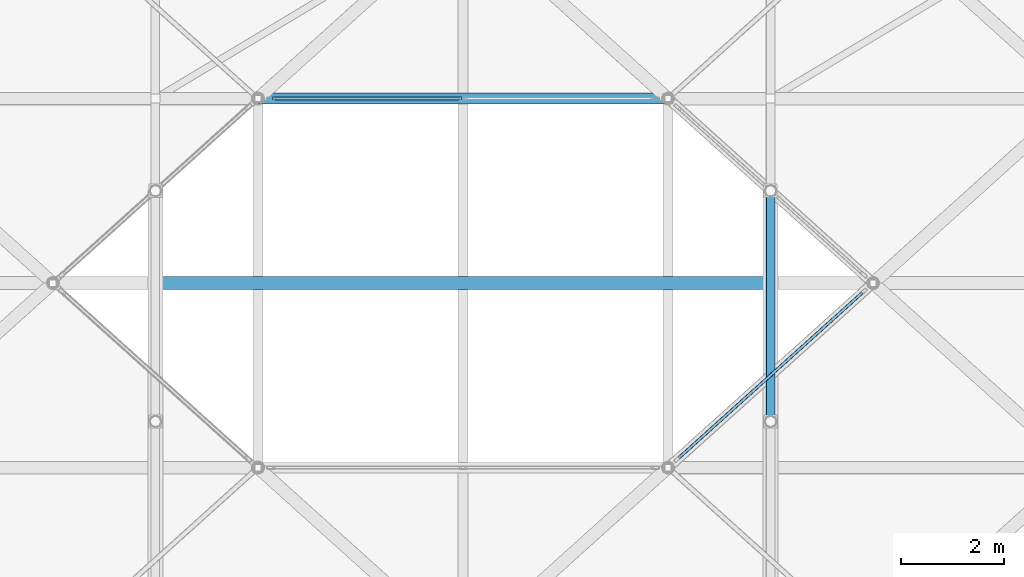
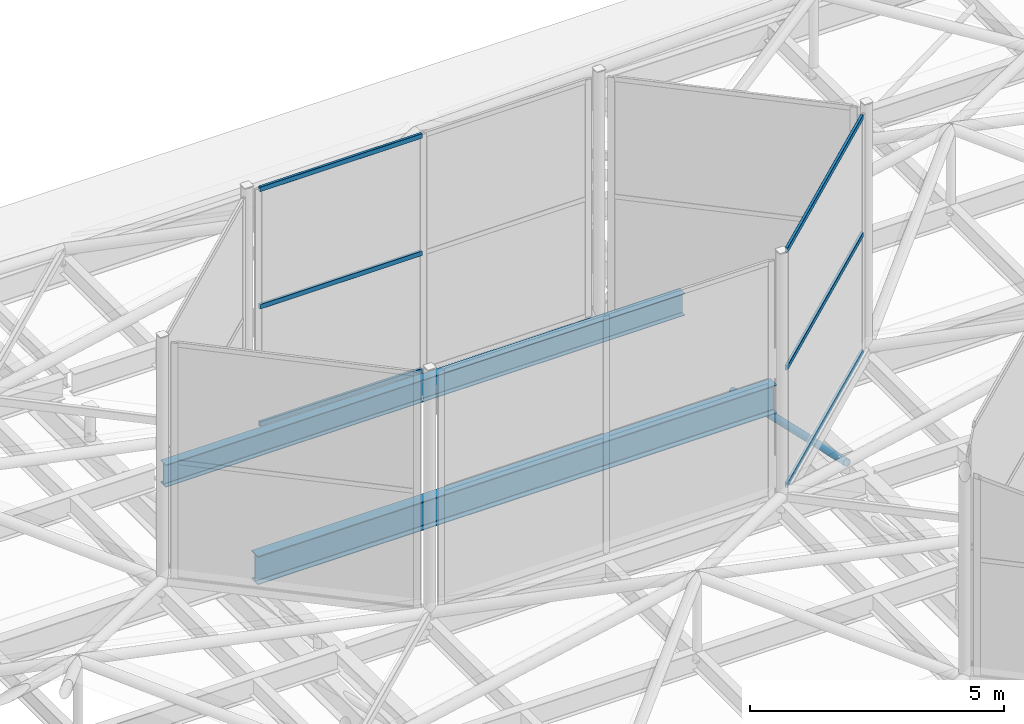
# One storey, part 124 of 239: 7 members, 2 beams, 2 elements without a shape of their own.
"""IFC4 building model written with IfcOpenShell, lengths in metres."""

from ifc_helpers import new_model, si_unit, direction, frame, origin, origin_2d, place, context, subcontext, project, spatial, hollow_rectangle, hollow_circle, i_section, extrude, material, layer, layer_set, material_profile, profile_set, type_object, element, aggregate, save


model = new_model("IFC4")

# Units and contexts
model_context = context("Model", 3, precision=1e-05, world=origin(), true_north=direction((0.0, 1.0)))
body_context = subcontext(model_context, "Body", "Model", "MODEL_VIEW")
ifc_project = project(units=[si_unit("LENGTHUNIT", "METRE"), si_unit("AREAUNIT", "SQUARE_METRE"), si_unit("VOLUMEUNIT", "CUBIC_METRE"), si_unit("PLANEANGLEUNIT", "RADIAN"), si_unit("MASSUNIT", "GRAM", prefix="KILO")], contexts=[model_context])

# Site, building, storey
site_placement = place(None, origin())
site = spatial("IfcSite", under=ifc_project, at=site_placement, CompositionType="ELEMENT")
building_placement = place(site_placement, origin())
building = spatial("IfcBuilding", under=site, at=building_placement, Name="Dunvalen Ferry Terminal", CompositionType="ELEMENT")
storey_placement = place(building_placement, frame((0.0, 0.0, 9.840087890625)))
storey = spatial("IfcBuildingStorey", under=building, at=storey_placement, Name="L02", CompositionType="ELEMENT", Elevation=9.840087890625)

# Curtain wall, members
ifc_material_1 = material(Name="Anodised marine aluminium and solar-control glazing", Category="aluminium")
ifc_layer = layer(ifc_material_1, 0.179931640625, Name="Anodised marine aluminium and solar-control glazing")
ifc_layer_set = layer_set([ifc_layer], Name="Anodised marine aluminium and solar-control glazing")
curtain_wall_type = type_object("IfcCurtainWallType", Name="ENV-CW-SYS-05", PredefinedType="NOTDEFINED", material=ifc_layer_set)
curtain_wall_1_placement = place(storey_placement, origin())
curtain_wall_1 = element("IfcCurtainWall", 1, at=curtain_wall_1_placement, inside=storey, type_object=curtain_wall_type, Name="L02 Curtain Wall CW-HEX-32-SK-3", PredefinedType="NOTDEFINED")
ifc_material_2 = material(Name="Anodised marine aluminium EN AW-6063 T6", Category="aluminium")
ifc_material_profile_1 = material_profile(ifc_material_2, hollow_rectangle(XDim=0.06005859375, YDim=0.114990234375, WallThickness=0.0029296875, InnerFilletRadius=0.0029296875, OuterFilletRadius=0.006103515625, at=origin_2d()), Name="Anodised marine aluminium EN AW-6063 T6")
ifc_profile_set_1 = profile_set([ifc_material_profile_1], Name="Anodised marine aluminium EN AW-6063 T6")
member_type_1 = type_object("IfcMemberType", Name="ENV-CW-TRN-3", PredefinedType="USERDEFINED", material=ifc_profile_set_1)
member_1_placement = place(storey_placement, frame((70.2080078125, 72.187255859375, 1.169921875), z_axis=(0.743319323261, 0.668936756104, 0.0), x_axis=(-0.668936756104, 0.743319323261, 0.0)))
member_1 = element("IfcMember", 2, at=member_1_placement, type_object=member_type_1, Name="CW-05 transom 1.1", ObjectType="TRANSOM", PredefinedType="USERDEFINED", context=body_context, shape_type="SweptSolid", body=[
    extrude(hollow_rectangle(XDim=0.06005859375, YDim=0.114990234375, WallThickness=0.0029296875, InnerFilletRadius=0.0029296875, OuterFilletRadius=0.006103515625, at=origin_2d()), origin(), (0.0, 0.0, 1.0), 4.821533203125),
])
member_2_placement = place(storey_placement, frame((70.2080078125, 72.187255859375, 3.989990234375), z_axis=(0.743319323261, 0.668936756104, 0.0), x_axis=(-0.668936756104, 0.743319323261, 0.0)))
member_2 = element("IfcMember", 3, at=member_2_placement, type_object=member_type_1, Name="CW-05 transom 1.2", ObjectType="TRANSOM", PredefinedType="USERDEFINED", context=body_context, shape_type="SweptSolid", body=[
    extrude(hollow_rectangle(XDim=0.06005859375, YDim=0.114990234375, WallThickness=0.0029296875, InnerFilletRadius=0.0029296875, OuterFilletRadius=0.006103515625, at=origin_2d()), origin(), (0.0, 0.0, 1.0), 4.821533203125),
])
member_3_placement = place(storey_placement, frame((70.2080078125, 72.187255859375, 6.809814453125), z_axis=(0.743319323261, 0.668936756104, 0.0), x_axis=(-0.668936756104, 0.743319323261, 0.0)))
member_3 = element("IfcMember", 4, at=member_3_placement, type_object=member_type_1, Name="CW-05 transom 1.3", ObjectType="TRANSOM", PredefinedType="USERDEFINED", context=body_context, shape_type="SweptSolid", body=[
    extrude(hollow_rectangle(XDim=0.06005859375, YDim=0.114990234375, WallThickness=0.0029296875, InnerFilletRadius=0.0029296875, OuterFilletRadius=0.006103515625, at=origin_2d()), origin(), (0.0, 0.0, 1.0), 4.821533203125),
])
aggregate(curtain_wall_1, [member_1, member_2, member_3])

curtain_wall_2_placement = place(storey_placement, origin())
curtain_wall_2 = element("IfcCurtainWall", 5, at=curtain_wall_2_placement, inside=storey, type_object=curtain_wall_type, Name="L02 Curtain Wall CW-HEX-32-SK-5", PredefinedType="NOTDEFINED")
member_4_placement = place(storey_placement, frame((65.969970703125, 79.199951171875, 1.169921875), z_axis=(-1.0, 0.0, 0.0), x_axis=(0.0, -1.0, 0.0)))
member_4 = element("IfcMember", 6, at=member_4_placement, type_object=member_type_1, Name="CW-05 transom 2.1", ObjectType="TRANSOM", PredefinedType="USERDEFINED", context=body_context, shape_type="SweptSolid", body=[
    extrude(hollow_rectangle(XDim=0.06005859375, YDim=0.114990234375, WallThickness=0.0029296875, InnerFilletRadius=0.0029296875, OuterFilletRadius=0.006103515625, at=origin_2d()), origin(), (0.0, 0.0, 1.0), 3.68994140625),
])
member_5_placement = place(storey_placement, frame((65.969970703125, 79.199951171875, 3.989990234375), z_axis=(-1.0, 0.0, 0.0), x_axis=(0.0, -1.0, 0.0)))
member_5 = element("IfcMember", 7, at=member_5_placement, type_object=member_type_1, Name="CW-05 transom 2.2", ObjectType="TRANSOM", PredefinedType="USERDEFINED", context=body_context, shape_type="SweptSolid", body=[
    extrude(hollow_rectangle(XDim=0.06005859375, YDim=0.114990234375, WallThickness=0.0029296875, InnerFilletRadius=0.0029296875, OuterFilletRadius=0.006103515625, at=origin_2d()), origin(), (0.0, 0.0, 1.0), 3.68994140625),
])
member_6_placement = place(storey_placement, frame((65.969970703125, 79.199951171875, 6.809814453125), z_axis=(-1.0, 0.0, 0.0), x_axis=(0.0, -1.0, 0.0)))
member_6 = element("IfcMember", 8, at=member_6_placement, type_object=member_type_1, Name="CW-05 transom 2.3", ObjectType="TRANSOM", PredefinedType="USERDEFINED", context=body_context, shape_type="SweptSolid", body=[
    extrude(hollow_rectangle(XDim=0.06005859375, YDim=0.114990234375, WallThickness=0.0029296875, InnerFilletRadius=0.0029296875, OuterFilletRadius=0.006103515625, at=origin_2d()), origin(), (0.0, 0.0, 1.0), 3.68994140625),
])
aggregate(curtain_wall_2, [member_4, member_5, member_6])

# Beams
ifc_material_3 = material(Name="Steel S355", Category="steel")
ifc_material_profile_2 = material_profile(ifc_material_3, i_section(OverallWidth=0.209228515625, OverallDepth=0.533203125, WebThickness=0.010009765625, FlangeThickness=0.015625, FilletRadius=0.0126953125, at=origin_2d()), Name="Steel S355")
ifc_profile_set_2 = profile_set([ifc_material_profile_2], Name="Steel S355")
beam_type_1 = type_object("IfcBeamType", Name="STR-BM-UKB533", PredefinedType="BEAM", material=ifc_profile_set_2)
beam_1_placement = place(storey_placement, frame((60.10009765625, 79.199951171875, 0.7333984375), z_axis=(1.0, 0.0, 0.0), x_axis=(0.0, 1.0, 0.0)))
element("IfcBeam", 9, at=beam_1_placement, inside=storey, type_object=beam_type_1, Name="Departure Hall Spine Girder B5.09", PredefinedType="BEAM", context=body_context, shape_type="SweptSolid", body=[
    extrude(i_section(OverallWidth=0.209228515625, OverallDepth=0.533203125, WebThickness=0.010009765625, FlangeThickness=0.015625, FilletRadius=0.0126953125, at=origin_2d()), origin(), (0.0, 0.0, 1.0), 11.7998046875),
])
ifc_material_profile_3 = material_profile(ifc_material_3, i_section(OverallWidth=0.253662109375, OverallDepth=0.68359375, WebThickness=0.012451171875, FlangeThickness=0.01904296875, FilletRadius=0.01513671875, at=origin_2d()), Name="Steel S355")
ifc_profile_set_3 = profile_set([ifc_material_profile_3], Name="Steel S355")
beam_type_2 = type_object("IfcBeamType", Name="STR-BM-UKB686", PredefinedType="BEAM", material=ifc_profile_set_3)
beam_2_placement = place(storey_placement, frame((60.10009765625, 75.60009765625, 0.658203125), z_axis=(1.0, 0.0, 0.0), x_axis=(0.0, 1.0, 0.0)))
element("IfcBeam", 10, at=beam_2_placement, inside=storey, type_object=beam_type_2, Name="Departure Hall Spine Girder B5.08", PredefinedType="BEAM", context=body_context, shape_type="SweptSolid", body=[
    extrude(i_section(OverallWidth=0.253662109375, OverallDepth=0.68359375, WebThickness=0.012451171875, FlangeThickness=0.01904296875, FilletRadius=0.01513671875, at=origin_2d()), origin(), (0.0, 0.0, 1.0), 11.7998046875),
])

# Member
ifc_material_profile_4 = material_profile(ifc_material_3, hollow_circle(Radius=0.084228515625, WallThickness=0.008056640625, at=origin_2d()), Name="Steel S355")
ifc_profile_set_4 = profile_set([ifc_material_profile_4], Name="Steel S355")
member_type_2 = type_object("IfcMemberType", Name="STR-MB-CHS168", PredefinedType="BRACE", material=ifc_profile_set_4)
member_7_placement = place(storey_placement, frame((72.0, 72.89990234375, 0.65869140625), z_axis=(0.0, 0.975316524259, -0.220811407104), x_axis=(-1.0, 0.0, 0.0)))
element("IfcMember", 11, at=member_7_placement, inside=storey, type_object=member_type_2, Name="Departure Hall Arch Web Diagonal 06.6", PredefinedType="BRACE", context=body_context, shape_type="SweptSolid", body=[
    extrude(hollow_circle(Radius=0.084228515625, WallThickness=0.008056640625, at=origin_2d()), origin(), (0.0, 0.0, 1.0), 4.61376953125),
])

save(model, "model.ifc")
